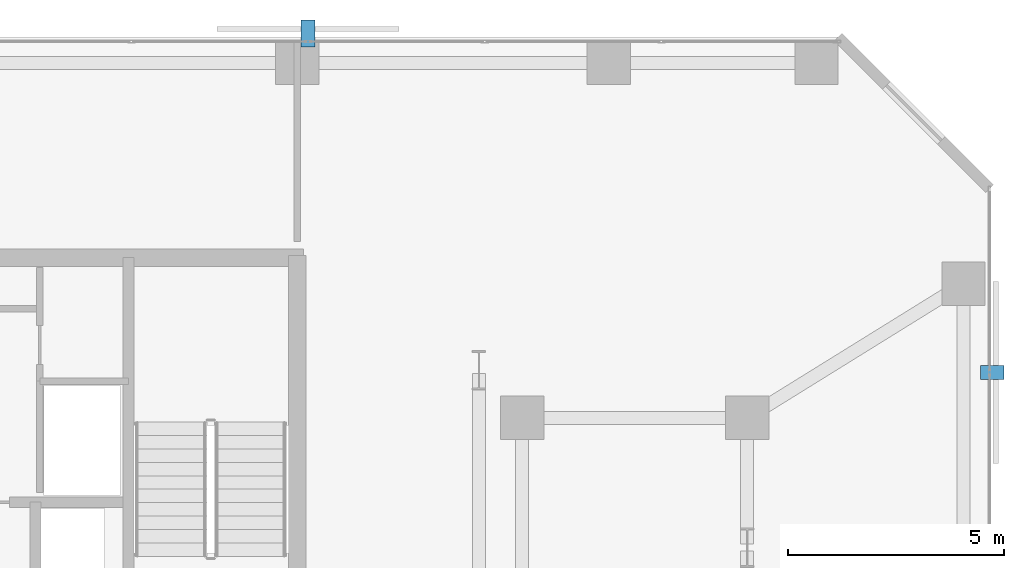
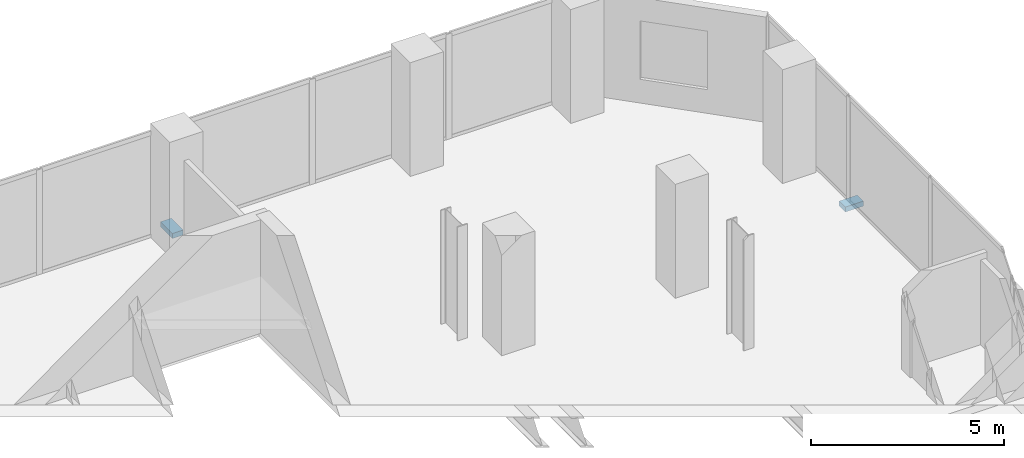
# One storey, part 30 of 32: 2 discrete accessories.
"""IFC4 building model written with IfcOpenShell, lengths in metres."""

from ifc_helpers import new_model, si_unit, direction, frame, origin, origin_2d, place, context, subcontext, project, spatial, rectangle, extrude, material, type_object, element, save


model = new_model("IFC4")

# Units and contexts
model_context = context("Model", 3, precision=1e-05, world=origin(), true_north=direction((0.0, 1.0)))
body_context = subcontext(model_context, "Body", "Model", "MODEL_VIEW")
ifc_project = project(units=[si_unit("LENGTHUNIT", "METRE"), si_unit("AREAUNIT", "SQUARE_METRE"), si_unit("VOLUMEUNIT", "CUBIC_METRE"), si_unit("PLANEANGLEUNIT", "RADIAN"), si_unit("MASSUNIT", "GRAM", prefix="KILO")], contexts=[model_context])

# Site, building, storey
site_placement = place(None, origin())
site = spatial("IfcSite", under=ifc_project, at=site_placement, CompositionType="ELEMENT")
building_placement = place(site_placement, origin())
building = spatial("IfcBuilding", under=site, at=building_placement, Name="Catumbela Crestline Tower", CompositionType="ELEMENT")
storey_placement = place(building_placement, frame((0.0, 0.0, 29.4)))
storey = spatial("IfcBuildingStorey", under=building, at=storey_placement, Name="L06", CompositionType="ELEMENT", Elevation=29.4)

# Discrete accessories
ifc_material = material(Name="Stainless steel EN 1.4401", Category="steel")
discrete_accessory_type = type_object("IfcDiscreteAccessoryType", Name="BK-SS1", PredefinedType="BRACKET", material=ifc_material)
discrete_accessory_1_placement = place(storey_placement, frame((56.065, 40.25, -0.18), z_axis=(0.0, 0.0, 1.0), x_axis=(0.0, 1.0, 0.0)))
element("IfcDiscreteAccessory", 1, at=discrete_accessory_1_placement, inside=storey, type_object=discrete_accessory_type, Name="L06 Solar Screen Stainless Bracket 24", PredefinedType="BRACKET", context=body_context, shape_type="SweptSolid", body=[
    extrude(rectangle(XDim=0.32, YDim=0.54, at=origin_2d()), origin(), (0.0, 0.0, 1.0), 0.16),
])
discrete_accessory_2_placement = place(storey_placement, frame((40.25, 48.085, -0.18), z_axis=(0.0, 0.0, 1.0), x_axis=(-1.0, 0.0, 0.0)))
element("IfcDiscreteAccessory", 2, at=discrete_accessory_2_placement, inside=storey, type_object=discrete_accessory_type, Name="L06 Solar Screen Stainless Bracket 25", PredefinedType="BRACKET", context=body_context, shape_type="SweptSolid", body=[
    extrude(rectangle(XDim=0.32, YDim=0.62, at=origin_2d()), origin(), (0.0, 0.0, 1.0), 0.16),
])

save(model, "model.ifc")
